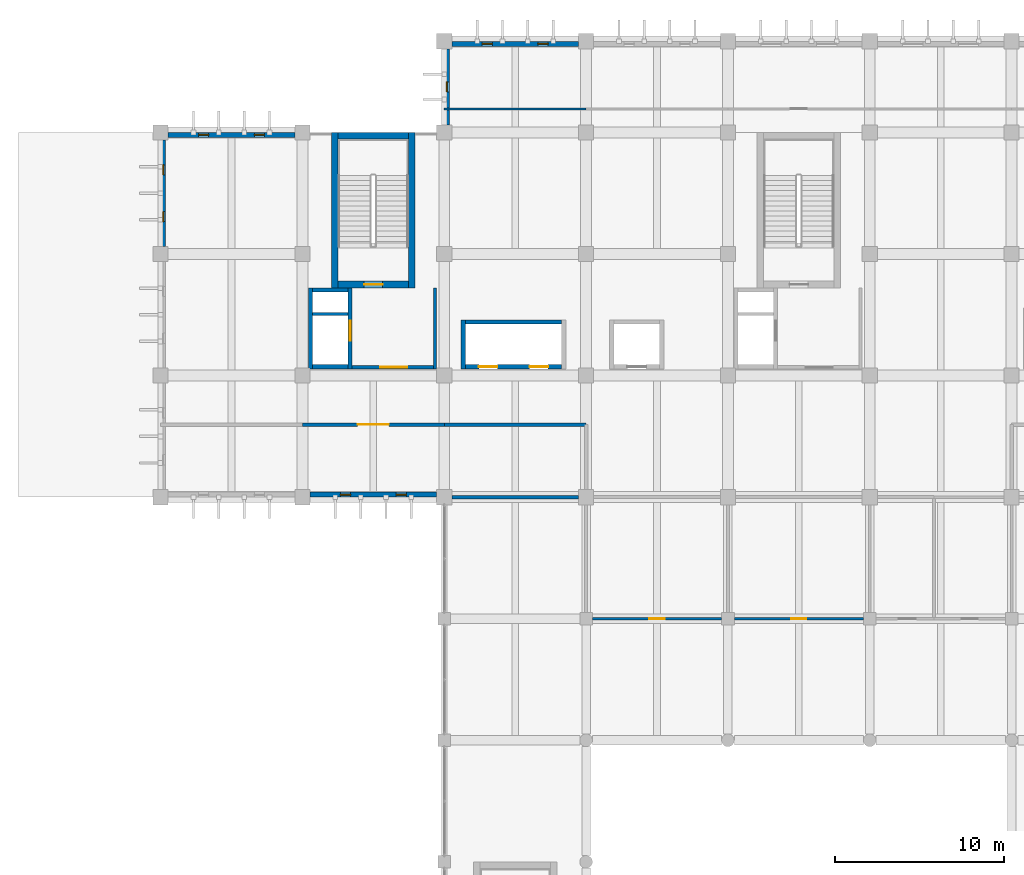
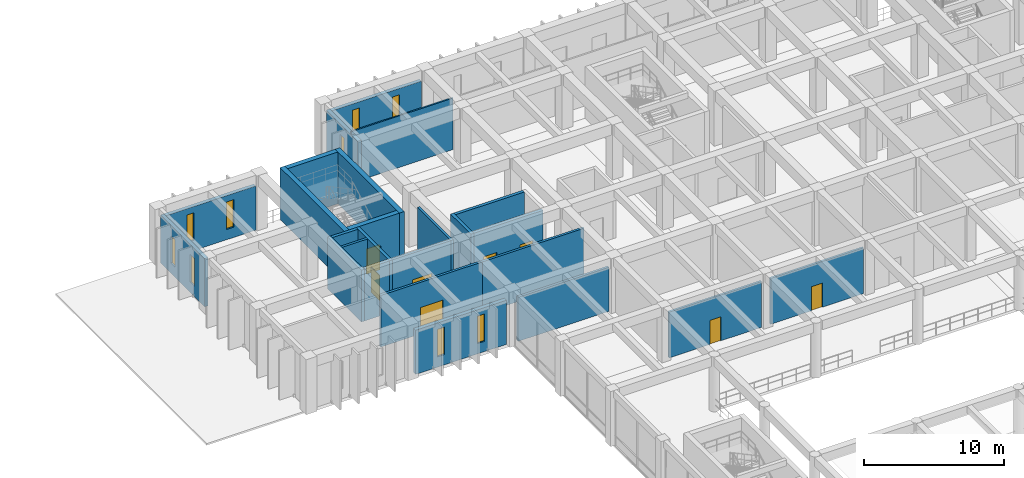
# One storey, part 36 of 52: 25 walls, 9 windows, 8 doors, 17 openings.
"""IFC4 building model written with IfcOpenShell, lengths in metres."""

from ifc_helpers import new_model, si_unit, direction, frame, frame_2d, origin, place, context, subcontext, project, spatial, rectangle, extrude, material, layer, layer_set, type_object, element, fill, save


model = new_model("IFC4")

# Units and contexts
model_context = context("Model", 3, precision=1e-05, world=origin(), true_north=direction((0.0, 1.0)))
body_context = subcontext(model_context, "Body", "Model", "MODEL_VIEW")
ifc_project = project(units=[si_unit("LENGTHUNIT", "METRE"), si_unit("AREAUNIT", "SQUARE_METRE"), si_unit("VOLUMEUNIT", "CUBIC_METRE"), si_unit("PLANEANGLEUNIT", "RADIAN"), si_unit("MASSUNIT", "GRAM", prefix="KILO")], contexts=[model_context])

# Site, building, storey
site_placement = place(None, origin())
site = spatial("IfcSite", under=ifc_project, at=site_placement, CompositionType="ELEMENT")
building_placement = place(site_placement, origin())
building = spatial("IfcBuilding", under=site, at=building_placement, Name="Kenerak Square Central Library", CompositionType="ELEMENT")
storey_placement = place(building_placement, frame((0.0, 0.0, 4.800048828125)))
storey = spatial("IfcBuildingStorey", under=building, at=storey_placement, Name="L01", CompositionType="ELEMENT", Elevation=4.800048828125)

# Wall, openings, windows
ifc_material_1 = material(Name="Concrete C40/50", Category="concrete")
ifc_layer_1 = layer(ifc_material_1, 0.300048828125)
ifc_layer_set_1 = layer_set([ifc_layer_1], Name="Concrete C40/50")
wall_type_1 = type_object("IfcWallType", Name="Board-Marked Brutalist Facade Wall EW-300 C40/50", PredefinedType="SOLIDWALL", material=ifc_layer_set_1)
wall_1_placement = place(storey_placement, frame((66.35009765625, 88.949951171875, 0.0), z_axis=(0.0, 0.0, 1.0), x_axis=(-1.0, 0.0, 0.0)))
wall_1 = element("IfcWall", 1, at=wall_1_placement, inside=storey, type_object=wall_type_1, Name="Exterior Facade Wall L01 0109", PredefinedType="SOLIDWALL", context=body_context, shape_type="SweptSolid", body=[
    extrude(rectangle(XDim=7.5, YDim=0.300048828125, at=frame_2d((3.75, 0.0))), origin(), (0.0, 0.0, 1.0), 3.849853515625),
])
opening_1_placement = place(wall_1_placement, frame((1.800048828125, 0.0, 0.89990234375)))
opening_1 = element("IfcOpeningElement", 2, at=opening_1_placement, cuts=wall_1, Name="Opening W-01", PredefinedType="OPENING", context=body_context, shape_type="SweptSolid", body=[
    extrude(rectangle(XDim=0.60009765625, YDim=2.39990234375, at=frame_2d((0.300048828125, 1.199951171875))), frame((0.0, 0.159912109375, 0.0), z_axis=(0.0, -1.0, 0.0), x_axis=(1.0, 0.0, 0.0)), (0.0, 0.0, 1.0), 0.320068359375),
])
opening_2_placement = place(wall_1_placement, frame((5.10009765625, 0.0, 0.89990234375)))
opening_2 = element("IfcOpeningElement", 3, at=opening_2_placement, cuts=wall_1, Name="Opening W-01", PredefinedType="OPENING", context=body_context, shape_type="SweptSolid", body=[
    extrude(rectangle(XDim=0.60009765625, YDim=2.39990234375, at=frame_2d((0.300048828125, 1.199951171875))), frame((0.0, 0.159912109375, 0.0), z_axis=(0.0, -1.0, 0.0), x_axis=(1.0, 0.0, 0.0)), (0.0, 0.0, 1.0), 0.320068359375),
])
ifc_material_2 = material(Name="Solar-control low-E laminated double glazing", Category="glass")
window_type = type_object("IfcWindowType", Name="UV-Filtered Stack Slot Window W-01 600x2400", PartitioningType="SINGLE_PANEL", PredefinedType="WINDOW", material=ifc_material_2)
window_1_placement = place(opening_1_placement, origin())
window_1 = element("IfcWindow", 4, at=window_1_placement, inside=storey, type_object=window_type, Name="Window W-01 L01 0080", OverallHeight=2.39990234375, OverallWidth=0.60009765625, PartitioningType="SINGLE_PANEL", PredefinedType="WINDOW", context=body_context, shape_type="SweptSolid", body=[
    extrude(rectangle(XDim=0.60009765625, YDim=2.39990234375, at=frame_2d((0.300048828125, 1.199951171875))), frame((0.0, 0.030029296875, 0.0), z_axis=(0.0, -1.0, 0.0), x_axis=(1.0, 0.0, 0.0)), (0.0, 0.0, 1.0), 0.06005859375),
])
fill(opening_1, window_1)
window_2_placement = place(opening_2_placement, origin())
window_2 = element("IfcWindow", 5, at=window_2_placement, inside=storey, type_object=window_type, Name="Window W-01 L01 0081", OverallHeight=2.39990234375, OverallWidth=0.60009765625, PartitioningType="SINGLE_PANEL", PredefinedType="WINDOW", context=body_context, shape_type="SweptSolid", body=[
    extrude(rectangle(XDim=0.60009765625, YDim=2.39990234375, at=frame_2d((0.300048828125, 1.199951171875))), frame((0.0, 0.030029296875, 0.0), z_axis=(0.0, -1.0, 0.0), x_axis=(1.0, 0.0, 0.0)), (0.0, 0.0, 1.0), 0.06005859375),
])
fill(opening_2, window_2)

wall_2_placement = place(storey_placement, frame((50.14990234375, 103.64990234375, 0.0), z_axis=(0.0, 0.0, 1.0), x_axis=(0.0, 1.0, 0.0)))
wall_2 = element("IfcWall", 6, at=wall_2_placement, inside=storey, type_object=wall_type_1, Name="Exterior Facade Wall L01 0113", PredefinedType="SOLIDWALL", context=body_context, shape_type="SweptSolid", body=[
    extrude(rectangle(XDim=6.300048828125, YDim=0.300048828125, at=frame_2d((3.14990234375, 0.0))), origin(), (0.0, 0.0, 1.0), 4.199951171875),
])
opening_3_placement = place(wall_2_placement, frame((1.464111328125, 0.0, 0.89990234375)))
opening_3 = element("IfcOpeningElement", 7, at=opening_3_placement, cuts=wall_2, Name="Opening W-01", PredefinedType="OPENING", context=body_context, shape_type="SweptSolid", body=[
    extrude(rectangle(XDim=0.60009765625, YDim=2.39990234375, at=frame_2d((0.300048828125, 1.199951171875))), frame((0.0, 0.159912109375, 0.0), z_axis=(0.0, -1.0, 0.0), x_axis=(1.0, 0.0, 0.0)), (0.0, 0.0, 1.0), 0.320068359375),
])
opening_4_placement = place(wall_2_placement, frame((4.236083984375, 0.0, 0.89990234375)))
opening_4 = element("IfcOpeningElement", 8, at=opening_4_placement, cuts=wall_2, Name="Opening W-01", PredefinedType="OPENING", context=body_context, shape_type="SweptSolid", body=[
    extrude(rectangle(XDim=0.60009765625, YDim=2.39990234375, at=frame_2d((0.300048828125, 1.199951171875))), frame((0.0, 0.159912109375, 0.0), z_axis=(0.0, -1.0, 0.0), x_axis=(1.0, 0.0, 0.0)), (0.0, 0.0, 1.0), 0.320068359375),
])
window_3_placement = place(opening_3_placement, origin())
window_3 = element("IfcWindow", 9, at=window_3_placement, inside=storey, type_object=window_type, Name="Window W-01 L01 0088", OverallHeight=2.39990234375, OverallWidth=0.60009765625, PartitioningType="SINGLE_PANEL", PredefinedType="WINDOW", context=body_context, shape_type="SweptSolid", body=[
    extrude(rectangle(XDim=0.60009765625, YDim=2.39990234375, at=frame_2d((0.300048828125, 1.199951171875))), frame((0.0, 0.030029296875, 0.0), z_axis=(0.0, -1.0, 0.0), x_axis=(1.0, 0.0, 0.0)), (0.0, 0.0, 1.0), 0.06005859375),
])
fill(opening_3, window_3)
window_4_placement = place(opening_4_placement, origin())
window_4 = element("IfcWindow", 10, at=window_4_placement, inside=storey, type_object=window_type, Name="Window W-01 L01 0089", OverallHeight=2.39990234375, OverallWidth=0.60009765625, PartitioningType="SINGLE_PANEL", PredefinedType="WINDOW", context=body_context, shape_type="SweptSolid", body=[
    extrude(rectangle(XDim=0.60009765625, YDim=2.39990234375, at=frame_2d((0.300048828125, 1.199951171875))), frame((0.0, 0.030029296875, 0.0), z_axis=(0.0, -1.0, 0.0), x_axis=(1.0, 0.0, 0.0)), (0.0, 0.0, 1.0), 0.06005859375),
])
fill(opening_4, window_4)

wall_3_placement = place(storey_placement, frame((50.449951171875, 110.25, 0.0), z_axis=(0.0, 0.0, 1.0), x_axis=(1.0, 0.0, 0.0)))
wall_3 = element("IfcWall", 11, at=wall_3_placement, inside=storey, type_object=wall_type_1, Name="Exterior Facade Wall L01 0114", PredefinedType="SOLIDWALL", context=body_context, shape_type="SweptSolid", body=[
    extrude(rectangle(XDim=7.5, YDim=0.300048828125, at=frame_2d((3.75, 0.0))), origin(), (0.0, 0.0, 1.0), 3.849853515625),
])
opening_5_placement = place(wall_3_placement, frame((1.800048828125, 0.0, 0.89990234375)))
opening_5 = element("IfcOpeningElement", 12, at=opening_5_placement, cuts=wall_3, Name="Opening W-01", PredefinedType="OPENING", context=body_context, shape_type="SweptSolid", body=[
    extrude(rectangle(XDim=0.60009765625, YDim=2.39990234375, at=frame_2d((0.300048828125, 1.199951171875))), frame((0.0, 0.159912109375, 0.0), z_axis=(0.0, -1.0, 0.0), x_axis=(1.0, 0.0, 0.0)), (0.0, 0.0, 1.0), 0.320068359375),
])
opening_6_placement = place(wall_3_placement, frame((5.10009765625, 0.0, 0.89990234375)))
opening_6 = element("IfcOpeningElement", 13, at=opening_6_placement, cuts=wall_3, Name="Opening W-01", PredefinedType="OPENING", context=body_context, shape_type="SweptSolid", body=[
    extrude(rectangle(XDim=0.60009765625, YDim=2.39990234375, at=frame_2d((0.300048828125, 1.199951171875))), frame((0.0, 0.159912109375, 0.0), z_axis=(0.0, -1.0, 0.0), x_axis=(1.0, 0.0, 0.0)), (0.0, 0.0, 1.0), 0.320068359375),
])
window_5_placement = place(opening_5_placement, origin())
window_5 = element("IfcWindow", 14, at=window_5_placement, inside=storey, type_object=window_type, Name="Window W-01 L01 0090", OverallHeight=2.39990234375, OverallWidth=0.60009765625, PartitioningType="SINGLE_PANEL", PredefinedType="WINDOW", context=body_context, shape_type="SweptSolid", body=[
    extrude(rectangle(XDim=0.60009765625, YDim=2.39990234375, at=frame_2d((0.300048828125, 1.199951171875))), frame((0.0, 0.030029296875, 0.0), z_axis=(0.0, -1.0, 0.0), x_axis=(1.0, 0.0, 0.0)), (0.0, 0.0, 1.0), 0.06005859375),
])
fill(opening_5, window_5)
window_6_placement = place(opening_6_placement, origin())
window_6 = element("IfcWindow", 15, at=window_6_placement, inside=storey, type_object=window_type, Name="Window W-01 L01 0091", OverallHeight=2.39990234375, OverallWidth=0.60009765625, PartitioningType="SINGLE_PANEL", PredefinedType="WINDOW", context=body_context, shape_type="SweptSolid", body=[
    extrude(rectangle(XDim=0.60009765625, YDim=2.39990234375, at=frame_2d((0.300048828125, 1.199951171875))), frame((0.0, 0.030029296875, 0.0), z_axis=(0.0, -1.0, 0.0), x_axis=(1.0, 0.0, 0.0)), (0.0, 0.0, 1.0), 0.06005859375),
])
fill(opening_6, window_6)

# Wall, opening, window
wall_4_placement = place(storey_placement, frame((66.949951171875, 110.85009765625, 0.0), z_axis=(0.0, 0.0, 1.0), x_axis=(0.0, 1.0, 0.0)))
wall_4 = element("IfcWall", 16, at=wall_4_placement, inside=storey, type_object=wall_type_1, Name="Exterior Facade Wall L01 0115", PredefinedType="SOLIDWALL", context=body_context, shape_type="SweptSolid", body=[
    extrude(rectangle(XDim=4.5, YDim=0.300048828125, at=frame_2d((2.25, 0.0))), origin(), (0.0, 0.0, 1.0), 4.199951171875),
])
opening_7_placement = place(wall_4_placement, frame((1.949951171875, 0.0, 0.89990234375)))
opening_7 = element("IfcOpeningElement", 17, at=opening_7_placement, cuts=wall_4, Name="Opening W-01", PredefinedType="OPENING", context=body_context, shape_type="SweptSolid", body=[
    extrude(rectangle(XDim=0.60009765625, YDim=2.39990234375, at=frame_2d((0.300048828125, 1.199951171875))), frame((0.0, 0.159912109375, 0.0), z_axis=(0.0, -1.0, 0.0), x_axis=(1.0, 0.0, 0.0)), (0.0, 0.0, 1.0), 0.320068359375),
])
window_7_placement = place(opening_7_placement, origin())
window_7 = element("IfcWindow", 18, at=window_7_placement, inside=storey, type_object=window_type, Name="Window W-01 L01 0092", OverallHeight=2.39990234375, OverallWidth=0.60009765625, PartitioningType="SINGLE_PANEL", PredefinedType="WINDOW", context=body_context, shape_type="SweptSolid", body=[
    extrude(rectangle(XDim=0.60009765625, YDim=2.39990234375, at=frame_2d((0.300048828125, 1.199951171875))), frame((0.0, 0.030029296875, 0.0), z_axis=(0.0, -1.0, 0.0), x_axis=(1.0, 0.0, 0.0)), (0.0, 0.0, 1.0), 0.06005859375),
])
fill(opening_7, window_7)

# Wall, openings, windows
wall_5_placement = place(storey_placement, frame((67.25, 115.64990234375, 0.0), z_axis=(0.0, 0.0, 1.0), x_axis=(1.0, 0.0, 0.0)))
wall_5 = element("IfcWall", 19, at=wall_5_placement, inside=storey, type_object=wall_type_1, Name="Exterior Facade Wall L01 0116", PredefinedType="SOLIDWALL", context=body_context, shape_type="SweptSolid", body=[
    extrude(rectangle(XDim=7.5, YDim=0.300048828125, at=frame_2d((3.75, 0.0))), origin(), (0.0, 0.0, 1.0), 3.849853515625),
])
opening_8_placement = place(wall_5_placement, frame((1.800048828125, 0.0, 0.89990234375)))
opening_8 = element("IfcOpeningElement", 20, at=opening_8_placement, cuts=wall_5, Name="Opening W-01", PredefinedType="OPENING", context=body_context, shape_type="SweptSolid", body=[
    extrude(rectangle(XDim=0.60009765625, YDim=2.39990234375, at=frame_2d((0.300048828125, 1.199951171875))), frame((0.0, 0.159912109375, 0.0), z_axis=(0.0, -1.0, 0.0), x_axis=(1.0, 0.0, 0.0)), (0.0, 0.0, 1.0), 0.320068359375),
])
opening_9_placement = place(wall_5_placement, frame((5.10009765625, 0.0, 0.89990234375)))
opening_9 = element("IfcOpeningElement", 21, at=opening_9_placement, cuts=wall_5, Name="Opening W-01", PredefinedType="OPENING", context=body_context, shape_type="SweptSolid", body=[
    extrude(rectangle(XDim=0.60009765625, YDim=2.39990234375, at=frame_2d((0.300048828125, 1.199951171875))), frame((0.0, 0.159912109375, 0.0), z_axis=(0.0, -1.0, 0.0), x_axis=(1.0, 0.0, 0.0)), (0.0, 0.0, 1.0), 0.320068359375),
])
window_8_placement = place(opening_8_placement, origin())
window_8 = element("IfcWindow", 22, at=window_8_placement, inside=storey, type_object=window_type, Name="Window W-01 L01 0093", OverallHeight=2.39990234375, OverallWidth=0.60009765625, PartitioningType="SINGLE_PANEL", PredefinedType="WINDOW", context=body_context, shape_type="SweptSolid", body=[
    extrude(rectangle(XDim=0.60009765625, YDim=2.39990234375, at=frame_2d((0.300048828125, 1.199951171875))), frame((0.0, 0.030029296875, 0.0), z_axis=(0.0, -1.0, 0.0), x_axis=(1.0, 0.0, 0.0)), (0.0, 0.0, 1.0), 0.06005859375),
])
fill(opening_8, window_8)
window_9_placement = place(opening_9_placement, origin())
window_9 = element("IfcWindow", 23, at=window_9_placement, inside=storey, type_object=window_type, Name="Window W-01 L01 0094", OverallHeight=2.39990234375, OverallWidth=0.60009765625, PartitioningType="SINGLE_PANEL", PredefinedType="WINDOW", context=body_context, shape_type="SweptSolid", body=[
    extrude(rectangle(XDim=0.60009765625, YDim=2.39990234375, at=frame_2d((0.300048828125, 1.199951171875))), frame((0.0, 0.030029296875, 0.0), z_axis=(0.0, -1.0, 0.0), x_axis=(1.0, 0.0, 0.0)), (0.0, 0.0, 1.0), 0.06005859375),
])
fill(opening_9, window_9)

# Walls
ifc_layer_2 = layer(ifc_material_1, 0.39990234375)
ifc_layer_set_2 = layer_set([ifc_layer_2], Name="Concrete C40/50")
wall_type_2 = type_object("IfcWallType", Name="Core Shear Wall CW-400 C40/50", PredefinedType="SHEAR", material=ifc_layer_set_2)
for number, where, z_axis, x_axis, name in (
    (24, (60.320068359375, 101.199951171875, 0.0), (0.0, 0.0, 1.0), (0.0, 1.0, 0.0), "Core Wall CW-C1 L01 West"),
    (25, (64.8798828125, 110.39990234375, 0.0), (0.0, 0.0, 1.0), (0.0, -1.0, 0.0), "Core Wall CW-C1 L01 East"),
):
    element("IfcWall", number, at=place(storey_placement, frame(where, z_axis=z_axis, x_axis=x_axis)), inside=storey, type_object=wall_type_2, Name=name, PredefinedType="SHEAR", context=body_context, shape_type="SweptSolid", body=[
        extrude(rectangle(XDim=9.199951171875, YDim=0.39990234375, at=frame_2d((4.60009765625, 0.0))), origin(), (0.0, 0.0, 1.0), 4.52490234375),
    ])

# Wall, opening, door
wall_6_placement = place(storey_placement, frame((64.679931640625, 101.39990234375, 0.0), z_axis=(0.0, 0.0, 1.0), x_axis=(-1.0, 0.0, 0.0)))
wall_6 = element("IfcWall", 26, at=wall_6_placement, inside=storey, type_object=wall_type_2, Name="Core Wall CW-C1 L01 South", PredefinedType="SHEAR", context=body_context, shape_type="SweptSolid", body=[
    extrude(rectangle(XDim=4.159912109375, YDim=0.39990234375, at=frame_2d((2.080078125, 0.0))), origin(), (0.0, 0.0, 1.0), 4.52490234375),
])
opening_10_placement = place(wall_6_placement, frame((1.530029296875, 0.0, 0.0)))
opening_10 = element("IfcOpeningElement", 27, at=opening_10_placement, cuts=wall_6, Name="Opening D-ST1", PredefinedType="OPENING", context=body_context, shape_type="SweptSolid", body=[
    extrude(rectangle(XDim=1.10009765625, YDim=2.199951171875, at=frame_2d((0.550048828125, 1.10009765625))), frame((0.0, 0.2099609375, 0.0), z_axis=(0.0, -1.0, 0.0), x_axis=(1.0, 0.0, 0.0)), (0.0, 0.0, 1.0), 0.419921875),
])
ifc_material_3 = material(Name="Steel S355", Category="steel")
door_type_1 = type_object("IfcDoorType", Name="Protected Stair Fire Door FD-1100x2200 FD60S", OperationType="NOTDEFINED", PredefinedType="DOOR", material=ifc_material_3)
door_1_placement = place(opening_10_placement, frame((1.10009765625, 0.0, 0.0), z_axis=(0.0, 0.0, 1.0), x_axis=(-1.0, 0.0, 0.0)))
door_1 = element("IfcDoor", 28, at=door_1_placement, inside=storey, type_object=door_type_1, Name="Stair Door ST-01 L01", OperationType="SINGLE_SWING_LEFT", OverallHeight=2.199951171875, OverallWidth=1.10009765625, PredefinedType="DOOR", context=body_context, shape_type="SweptSolid", body=[
    extrude(rectangle(XDim=1.10009765625, YDim=2.199951171875, at=frame_2d((0.550048828125, 1.10009765625))), frame((0.0, 0.02490234375, 0.0), z_axis=(0.0, -1.0, 0.0), x_axis=(1.0, 0.0, 0.0)), (0.0, 0.0, 1.0), 0.050048828125),
])
fill(opening_10, door_1)

# Walls
wall_7_placement = place(storey_placement, frame((60.52001953125, 110.199951171875, 0.0), z_axis=(0.0, 0.0, 1.0), x_axis=(1.0, 0.0, 0.0)))
element("IfcWall", 29, at=wall_7_placement, inside=storey, type_object=wall_type_2, Name="Core Wall CW-C1 L01 North", PredefinedType="SHEAR", context=body_context, shape_type="SweptSolid", body=[
    extrude(rectangle(XDim=4.159912109375, YDim=0.39990234375, at=frame_2d((2.080078125, 0.0))), origin(), (0.0, 0.0, 1.0), 4.52490234375),
])
ifc_material_4 = material(Name="Acoustic gypsum plasterboard on steel studs", Category="steel")
ifc_layer_3 = layer(ifc_material_4, 0.1201171875)
ifc_layer_set_3 = layer_set([ifc_layer_3], Name="Acoustic gypsum plasterboard on steel studs")
wall_type_3 = type_object("IfcWallType", Name="Lightweight Drywall Partition IW-120", PredefinedType="PARTITIONING", material=ifc_layer_set_3)
wall_8_placement = place(storey_placement, frame((75.199951171875, 111.800048828125, 0.0), z_axis=(0.0, 0.0, 1.0), x_axis=(-1.0, 0.0, 0.0)))
element("IfcWall", 30, at=wall_8_placement, inside=storey, type_object=wall_type_3, Name="Interior Wall IW-L01-12-S1-B5", PredefinedType="PARTITIONING", context=body_context, shape_type="SweptSolid", body=[
    extrude(rectangle(XDim=8.39990234375, YDim=0.1201171875, at=frame_2d((4.199951171875, 0.0))), origin(), (0.0, 0.0, 1.0), 4.5),
])
ifc_layer_4 = layer(ifc_material_1, 0.199951171875)
ifc_layer_set_4 = layer_set([ifc_layer_4], Name="Concrete C40/50")
wall_type_4 = type_object("IfcWallType", Name="Lobby Compartment Wall LW-200 C40/50", PredefinedType="SOLIDWALL", material=ifc_layer_set_4)
wall_9_placement = place(storey_placement, frame((59.0, 99.64990234375, 0.0), z_axis=(0.0, 0.0, 1.0), x_axis=(1.0, 0.0, 0.0)))
element("IfcWall", 31, at=wall_9_placement, inside=storey, type_object=wall_type_4, Name="Riser Divider Wall C1 L01", PredefinedType="SOLIDWALL", context=body_context, shape_type="SweptSolid", body=[
    extrude(rectangle(XDim=2.10009765625, YDim=0.199951171875, at=frame_2d((1.050048828125, 0.0))), origin(), (0.0, 0.0, 1.0), 4.52490234375),
])
wall_10_placement = place(storey_placement, frame((66.25, 101.199951171875, 0.0), z_axis=(0.0, 0.0, 1.0), x_axis=(0.0, -1.0, 0.0)))
element("IfcWall", 32, at=wall_10_placement, inside=storey, type_object=wall_type_4, Name="Firefighting Lobby East Wall C1 L01", PredefinedType="SOLIDWALL", context=body_context, shape_type="SweptSolid", body=[
    extrude(rectangle(XDim=4.800048828125, YDim=0.199951171875, at=frame_2d((2.39990234375, 0.0))), origin(), (0.0, 0.0, 1.0), 4.52490234375),
])

# Wall, opening, door
wall_11_placement = place(storey_placement, frame((66.14990234375, 96.5, 0.0), z_axis=(0.0, 0.0, 1.0), x_axis=(-1.0, 0.0, 0.0)))
wall_11 = element("IfcWall", 33, at=wall_11_placement, inside=storey, type_object=wall_type_4, Name="Firefighting Lobby South Wall C1 L01", PredefinedType="SOLIDWALL", context=body_context, shape_type="SweptSolid", body=[
    extrude(rectangle(XDim=4.7998046875, YDim=0.199951171875, at=frame_2d((2.39990234375, 0.0))), origin(), (0.0, 0.0, 1.0), 4.52490234375),
])
opening_11_placement = place(wall_11_placement, frame((1.550048828125, 0.0, 0.0)))
opening_11 = element("IfcOpeningElement", 34, at=opening_11_placement, cuts=wall_11, Name="Opening D-FFL", PredefinedType="OPENING", context=body_context, shape_type="SweptSolid", body=[
    extrude(rectangle(XDim=1.60009765625, YDim=2.199951171875, at=frame_2d((0.800048828125, 1.10009765625))), frame((0.0, 0.10986328125, 0.0), z_axis=(0.0, -1.0, 0.0), x_axis=(1.0, 0.0, 0.0)), (0.0, 0.0, 1.0), 0.219970703125),
])
door_type_2 = type_object("IfcDoorType", Name="Firefighting Lobby Double Door FD-1600x2200 FD60S", OperationType="NOTDEFINED", PredefinedType="DOOR", material=ifc_material_3)
door_2_placement = place(opening_11_placement, frame((1.60009765625, 0.0, 0.0), z_axis=(0.0, 0.0, 1.0), x_axis=(-1.0, 0.0, 0.0)))
door_2 = element("IfcDoor", 35, at=door_2_placement, inside=storey, type_object=door_type_2, Name="Firefighting Lobby Door C1 L01", OperationType="DOUBLE_DOOR_SINGLE_SWING", OverallHeight=2.199951171875, OverallWidth=1.60009765625, PredefinedType="DOOR", context=body_context, shape_type="SweptSolid", body=[
    extrude(rectangle(XDim=1.60009765625, YDim=2.199951171875, at=frame_2d((0.800048828125, 1.10009765625))), frame((0.0, 0.02490234375, 0.0), z_axis=(0.0, -1.0, 0.0), x_axis=(1.0, 0.0, 0.0)), (0.0, 0.0, 1.0), 0.050048828125),
])
fill(opening_11, door_2)

ifc_material_5 = material(Name="Precast concrete C40/50", Category="concrete")
ifc_layer_5 = layer(ifc_material_5, 0.199951171875)
ifc_layer_set_5 = layer_set([ifc_layer_5], Name="Precast concrete C40/50")
wall_type_5 = type_object("IfcWallType", Name="Protected Corridor Fire Wall IW-200 C40/50", PredefinedType="PARTITIONING", material=ifc_layer_set_5)
wall_12_placement = place(storey_placement, frame((58.39990234375, 93.10009765625, 0.0), z_axis=(0.0, 0.0, 1.0), x_axis=(1.0, 0.0, 0.0)))
wall_12 = element("IfcWall", 36, at=wall_12_placement, inside=storey, type_object=wall_type_5, Name="Interior Wall IW-L01-10-N2-B2", PredefinedType="PARTITIONING", context=body_context, shape_type="SweptSolid", body=[
    extrude(rectangle(XDim=8.400146484375, YDim=0.199951171875, at=frame_2d((4.2001953125, 0.0))), origin(), (0.0, 0.0, 1.0), 4.5),
])
opening_12_placement = place(wall_12_placement, frame((3.27490234375, 0.0, 0.0)))
opening_12 = element("IfcOpeningElement", 37, at=opening_12_placement, cuts=wall_12, Name="Opening ID-09", PredefinedType="OPENING", context=body_context, shape_type="SweptSolid", body=[
    extrude(rectangle(XDim=1.85009765625, YDim=2.300048828125, at=frame_2d((0.925048828125, 1.14990234375))), frame((0.0, 0.10986328125, 0.0), z_axis=(0.0, -1.0, 0.0), x_axis=(1.0, 0.0, 0.0)), (0.0, 0.0, 1.0), 0.219970703125),
])
ifc_material_6 = material(Name="Anodised aluminium and laminated glass", Category="aluminium")
door_type_3 = type_object("IfcDoorType", Name="Reading Room Glazed Double Door ID-1850x2300 FD60S", OperationType="NOTDEFINED", PredefinedType="DOOR", material=ifc_material_6)
door_3_placement = place(opening_12_placement, origin())
door_3 = element("IfcDoor", 38, at=door_3_placement, inside=storey, type_object=door_type_3, Name="General Lending Open Book Stacks West Door", OperationType="DOUBLE_DOOR_SINGLE_SWING", OverallHeight=2.300048828125, OverallWidth=1.85009765625, PredefinedType="DOOR", context=body_context, shape_type="SweptSolid", body=[
    extrude(rectangle(XDim=1.85009765625, YDim=2.300048828125, at=frame_2d((0.925048828125, 1.14990234375))), frame((0.0, 0.02490234375, 0.0), z_axis=(0.0, -1.0, 0.0), x_axis=(1.0, 0.0, 0.0)), (0.0, 0.0, 1.0), 0.050048828125),
])
fill(opening_12, door_3)

# Walls
wall_13_placement = place(storey_placement, frame((66.800048828125, 93.10009765625, 0.0), z_axis=(0.0, 0.0, 1.0), x_axis=(1.0, 0.0, 0.0)))
element("IfcWall", 39, at=wall_13_placement, inside=storey, type_object=wall_type_5, Name="Interior Wall IW-L01-10-N2-B3", PredefinedType="PARTITIONING", context=body_context, shape_type="SweptSolid", body=[
    extrude(rectangle(XDim=8.39990234375, YDim=0.199951171875, at=frame_2d((4.199951171875, 0.0))), origin(), (0.0, 0.0, 1.0), 4.5),
])
wall_14_placement = place(storey_placement, frame((74.75, 88.800048828125, 0.0), z_axis=(0.0, 0.0, 1.0), x_axis=(-1.0, 0.0, 0.0)))
element("IfcWall", 40, at=wall_14_placement, inside=storey, type_object=wall_type_5, Name="Interior Wall IW-L01-10-S1-B1", PredefinedType="PARTITIONING", context=body_context, shape_type="SweptSolid", body=[
    extrude(rectangle(XDim=7.5, YDim=0.199951171875, at=frame_2d((3.75, 0.0))), origin(), (0.0, 0.0, 1.0), 3.849853515625),
])

# Wall, opening, door
ifc_layer_6 = layer(ifc_material_5, 0.175048828125)
ifc_layer_set_6 = layer_set([ifc_layer_6], Name="Precast concrete C40/50")
wall_type_6 = type_object("IfcWallType", Name="Sanitary Plumbing Chase Wall IW-175 C40/50", PredefinedType="PLUMBINGWALL", material=ifc_layer_set_6)
wall_15_placement = place(storey_placement, frame((83.22509765625, 81.60009765625, 0.0), z_axis=(0.0, 0.0, 1.0), x_axis=(-1.0, 0.0, 0.0)))
wall_15 = element("IfcWall", 41, at=wall_15_placement, inside=storey, type_object=wall_type_6, Name="Interior Wall IW-L01-13-S1-B1", PredefinedType="PLUMBINGWALL", context=body_context, shape_type="SweptSolid", body=[
    extrude(rectangle(XDim=7.650146484375, YDim=0.175048828125, at=frame_2d((3.8251953125, 0.0))), origin(), (0.0, 0.0, 1.0), 4.0),
])
opening_13_placement = place(wall_15_placement, frame((3.375, 0.0, 0.0)))
opening_13 = element("IfcOpeningElement", 42, at=opening_13_placement, cuts=wall_15, Name="Opening ID-01", PredefinedType="OPENING", context=body_context, shape_type="SweptSolid", body=[
    extrude(rectangle(XDim=0.89990234375, YDim=2.10009765625, at=frame_2d((0.449951171875, 1.050048828125))), frame((0.0, 0.097412109375, 0.0), z_axis=(0.0, -1.0, 0.0), x_axis=(1.0, 0.0, 0.0)), (0.0, 0.0, 1.0), 0.195068359375),
])
ifc_material_7 = material(Name="Chengal hardwood timber SG1", Category="wood")
door_type_4 = type_object("IfcDoorType", Name="Restroom Single Door ID-900x2100", OperationType="NOTDEFINED", PredefinedType="DOOR", material=ifc_material_7)
door_4_placement = place(opening_13_placement, origin())
door_4 = element("IfcDoor", 43, at=door_4_placement, inside=storey, type_object=door_type_4, Name="Level 01 Male Restroom Door", OperationType="SINGLE_SWING_LEFT", OverallHeight=2.10009765625, OverallWidth=0.89990234375, PredefinedType="DOOR", context=body_context, shape_type="SweptSolid", body=[
    extrude(rectangle(XDim=0.89990234375, YDim=2.10009765625, at=frame_2d((0.449951171875, 1.050048828125))), frame((0.0, 0.02490234375, 0.0), z_axis=(0.0, -1.0, 0.0), x_axis=(1.0, 0.0, 0.0)), (0.0, 0.0, 1.0), 0.050048828125),
])
fill(opening_13, door_4)

wall_16_placement = place(storey_placement, frame((91.625, 81.60009765625, 0.0), z_axis=(0.0, 0.0, 1.0), x_axis=(-1.0, 0.0, 0.0)))
wall_16 = element("IfcWall", 44, at=wall_16_placement, inside=storey, type_object=wall_type_6, Name="Interior Wall IW-L01-14-S1-B1", PredefinedType="PLUMBINGWALL", context=body_context, shape_type="SweptSolid", body=[
    extrude(rectangle(XDim=7.64990234375, YDim=0.175048828125, at=frame_2d((3.824951171875, 0.0))), origin(), (0.0, 0.0, 1.0), 4.0),
])
opening_14_placement = place(wall_16_placement, frame((3.375, 0.0, 0.0)))
opening_14 = element("IfcOpeningElement", 45, at=opening_14_placement, cuts=wall_16, Name="Opening ID-01", PredefinedType="OPENING", context=body_context, shape_type="SweptSolid", body=[
    extrude(rectangle(XDim=0.89990234375, YDim=2.10009765625, at=frame_2d((0.449951171875, 1.050048828125))), frame((0.0, 0.097412109375, 0.0), z_axis=(0.0, -1.0, 0.0), x_axis=(1.0, 0.0, 0.0)), (0.0, 0.0, 1.0), 0.195068359375),
])
door_5_placement = place(opening_14_placement, origin())
door_5 = element("IfcDoor", 46, at=door_5_placement, inside=storey, type_object=door_type_4, Name="Level 01 Female Restroom Door", OperationType="SINGLE_SWING_RIGHT", OverallHeight=2.10009765625, OverallWidth=0.89990234375, PredefinedType="DOOR", context=body_context, shape_type="SweptSolid", body=[
    extrude(rectangle(XDim=0.89990234375, YDim=2.10009765625, at=frame_2d((0.449951171875, 1.050048828125))), frame((0.0, 0.02490234375, 0.0), z_axis=(0.0, -1.0, 0.0), x_axis=(1.0, 0.0, 0.0)), (0.0, 0.0, 1.0), 0.050048828125),
])
fill(opening_14, door_5)

# Wall
ifc_layer_7 = layer(ifc_material_1, 0.25)
ifc_layer_set_7 = layer_set([ifc_layer_7], Name="Concrete C40/50")
wall_type_7 = type_object("IfcWallType", Name="Shaft Enclosure Wall SW-250 C40/50", PredefinedType="SOLIDWALL", material=ifc_layer_set_7)
wall_17_placement = place(storey_placement, frame((58.875, 96.39990234375, 0.0), z_axis=(0.0, 0.0, 1.0), x_axis=(0.0, 1.0, 0.0)))
element("IfcWall", 47, at=wall_17_placement, inside=storey, type_object=wall_type_7, Name="Core Wall FLW-C1 L01 West", PredefinedType="SOLIDWALL", context=body_context, shape_type="SweptSolid", body=[
    extrude(rectangle(XDim=4.800048828125, YDim=0.25, at=frame_2d((2.39990234375, 0.0))), origin(), (0.0, 0.0, 1.0), 4.52490234375),
])

# Wall, opening, door
wall_18_placement = place(storey_placement, frame((61.22509765625, 101.199951171875, 0.0), z_axis=(0.0, 0.0, 1.0), x_axis=(0.0, -1.0, 0.0)))
wall_18 = element("IfcWall", 48, at=wall_18_placement, inside=storey, type_object=wall_type_7, Name="Core Wall FLW-C1 L01 East", PredefinedType="SOLIDWALL", context=body_context, shape_type="SweptSolid", body=[
    extrude(rectangle(XDim=4.800048828125, YDim=0.25, at=frame_2d((2.39990234375, 0.0))), origin(), (0.0, 0.0, 1.0), 4.52490234375),
])
opening_15_placement = place(wall_18_placement, frame((1.949951171875, 0.0, 0.0)))
opening_15 = element("IfcOpeningElement", 49, at=opening_15_placement, cuts=wall_18, Name="Opening LD-FL", PredefinedType="OPENING", context=body_context, shape_type="SweptSolid", body=[
    extrude(rectangle(XDim=1.199951171875, YDim=2.199951171875, at=frame_2d((0.60009765625, 1.10009765625))), frame((0.0, 0.135009765625, 0.0), z_axis=(0.0, -1.0, 0.0), x_axis=(1.0, 0.0, 0.0)), (0.0, 0.0, 1.0), 0.27001953125),
])
door_type_5 = type_object("IfcDoorType", Name="Firefighting Lift Sliding Landing Door LD-1200x2200 FD120S", OperationType="NOTDEFINED", PredefinedType="DOOR", material=ifc_material_3)
door_6_placement = place(opening_15_placement, origin())
door_6 = element("IfcDoor", 50, at=door_6_placement, inside=storey, type_object=door_type_5, Name="Firefighting Lift Landing Door FL-01 L01", OperationType="SLIDING_TO_LEFT", OverallHeight=2.199951171875, OverallWidth=1.199951171875, PredefinedType="DOOR", context=body_context, shape_type="SweptSolid", body=[
    extrude(rectangle(XDim=1.199951171875, YDim=2.199951171875, at=frame_2d((0.60009765625, 1.10009765625))), frame((0.0, 0.02490234375, 0.0), z_axis=(0.0, -1.0, 0.0), x_axis=(1.0, 0.0, 0.0)), (0.0, 0.0, 1.0), 0.050048828125),
])
fill(opening_15, door_6)

# Walls
for number, where, z_axis, x_axis, name in (
    (51, (61.10009765625, 96.52490234375, 0.0), (0.0, 0.0, 1.0), (-1.0, 0.0, 0.0), "Core Wall FLW-C1 L01 South"),
    (52, (59.0, 101.074951171875, 0.0), (0.0, 0.0, 1.0), (1.0, 0.0, 0.0), "Core Wall FLW-C1 L01 North"),
):
    element("IfcWall", number, at=place(storey_placement, frame(where, z_axis=z_axis, x_axis=x_axis)), inside=storey, type_object=wall_type_7, Name=name, PredefinedType="SOLIDWALL", context=body_context, shape_type="SweptSolid", body=[
        extrude(rectangle(XDim=2.10009765625, YDim=0.25, at=frame_2d((1.050048828125, 0.0))), origin(), (0.0, 0.0, 1.0), 4.52490234375),
    ])
wall_19_placement = place(storey_placement, frame((67.925048828125, 96.39990234375, 0.0), z_axis=(0.0, 0.0, 1.0), x_axis=(0.0, 1.0, 0.0)))
element("IfcWall", 53, at=wall_19_placement, inside=storey, type_object=wall_type_7, Name="Core Wall PLBANKW L01 West", PredefinedType="SOLIDWALL", context=body_context, shape_type="SweptSolid", body=[
    extrude(rectangle(XDim=2.900146484375, YDim=0.25, at=frame_2d((1.4501953125, 0.0))), origin(), (0.0, 0.0, 1.0), 4.5),
])

# Wall, openings, doors
wall_20_placement = place(storey_placement, frame((73.75, 96.52490234375, 0.0), z_axis=(0.0, 0.0, 1.0), x_axis=(-1.0, 0.0, 0.0)))
wall_20 = element("IfcWall", 54, at=wall_20_placement, inside=storey, type_object=wall_type_7, Name="Core Wall PLBANKW L01 South", PredefinedType="SOLIDWALL", context=body_context, shape_type="SweptSolid", body=[
    extrude(rectangle(XDim=5.699951171875, YDim=0.25, at=frame_2d((2.85009765625, 0.0))), origin(), (0.0, 0.0, 1.0), 4.5),
])
opening_16_placement = place(wall_20_placement, frame((3.800048828125, 0.0, 0.0)))
opening_16 = element("IfcOpeningElement", 55, at=opening_16_placement, cuts=wall_20, Name="Opening LD-PL", PredefinedType="OPENING", context=body_context, shape_type="SweptSolid", body=[
    extrude(rectangle(XDim=1.10009765625, YDim=2.14990234375, at=frame_2d((0.550048828125, 1.074951171875))), frame((0.0, 0.135009765625, 0.0), z_axis=(0.0, -1.0, 0.0), x_axis=(1.0, 0.0, 0.0)), (0.0, 0.0, 1.0), 0.27001953125),
])
opening_17_placement = place(wall_20_placement, frame((0.800048828125, 0.0, 0.0)))
opening_17 = element("IfcOpeningElement", 56, at=opening_17_placement, cuts=wall_20, Name="Opening LD-PL", PredefinedType="OPENING", context=body_context, shape_type="SweptSolid", body=[
    extrude(rectangle(XDim=1.10009765625, YDim=2.14990234375, at=frame_2d((0.550048828125, 1.074951171875))), frame((0.0, 0.135009765625, 0.0), z_axis=(0.0, -1.0, 0.0), x_axis=(1.0, 0.0, 0.0)), (0.0, 0.0, 1.0), 0.27001953125),
])
door_type_6 = type_object("IfcDoorType", Name="Passenger Lift Sliding Landing Door LD-1100x2150", OperationType="NOTDEFINED", PredefinedType="DOOR", material=ifc_material_3)
door_7_placement = place(opening_16_placement, origin())
door_7 = element("IfcDoor", 57, at=door_7_placement, inside=storey, type_object=door_type_6, Name="Passenger Lift Landing Door PL-01 L01", OperationType="SLIDING_TO_RIGHT", OverallHeight=2.14990234375, OverallWidth=1.10009765625, PredefinedType="DOOR", context=body_context, shape_type="SweptSolid", body=[
    extrude(rectangle(XDim=1.10009765625, YDim=2.14990234375, at=frame_2d((0.550048828125, 1.074951171875))), frame((0.0, 0.02490234375, 0.0), z_axis=(0.0, -1.0, 0.0), x_axis=(1.0, 0.0, 0.0)), (0.0, 0.0, 1.0), 0.050048828125),
])
fill(opening_16, door_7)
door_8_placement = place(opening_17_placement, origin())
door_8 = element("IfcDoor", 58, at=door_8_placement, inside=storey, type_object=door_type_6, Name="Passenger Lift Landing Door PL-02 L01", OperationType="SLIDING_TO_RIGHT", OverallHeight=2.14990234375, OverallWidth=1.10009765625, PredefinedType="DOOR", context=body_context, shape_type="SweptSolid", body=[
    extrude(rectangle(XDim=1.10009765625, YDim=2.14990234375, at=frame_2d((0.550048828125, 1.074951171875))), frame((0.0, 0.02490234375, 0.0), z_axis=(0.0, -1.0, 0.0), x_axis=(1.0, 0.0, 0.0)), (0.0, 0.0, 1.0), 0.050048828125),
])
fill(opening_17, door_8)

# Wall
wall_21_placement = place(storey_placement, frame((68.050048828125, 99.175048828125, 0.0), z_axis=(0.0, 0.0, 1.0), x_axis=(1.0, 0.0, 0.0)))
element("IfcWall", 59, at=wall_21_placement, inside=storey, type_object=wall_type_7, Name="Core Wall PLBANKW L01 North", PredefinedType="SOLIDWALL", context=body_context, shape_type="SweptSolid", body=[
    extrude(rectangle(XDim=5.699951171875, YDim=0.25, at=frame_2d((2.85009765625, 0.0))), origin(), (0.0, 0.0, 1.0), 4.5),
])

save(model, "model.ifc")
